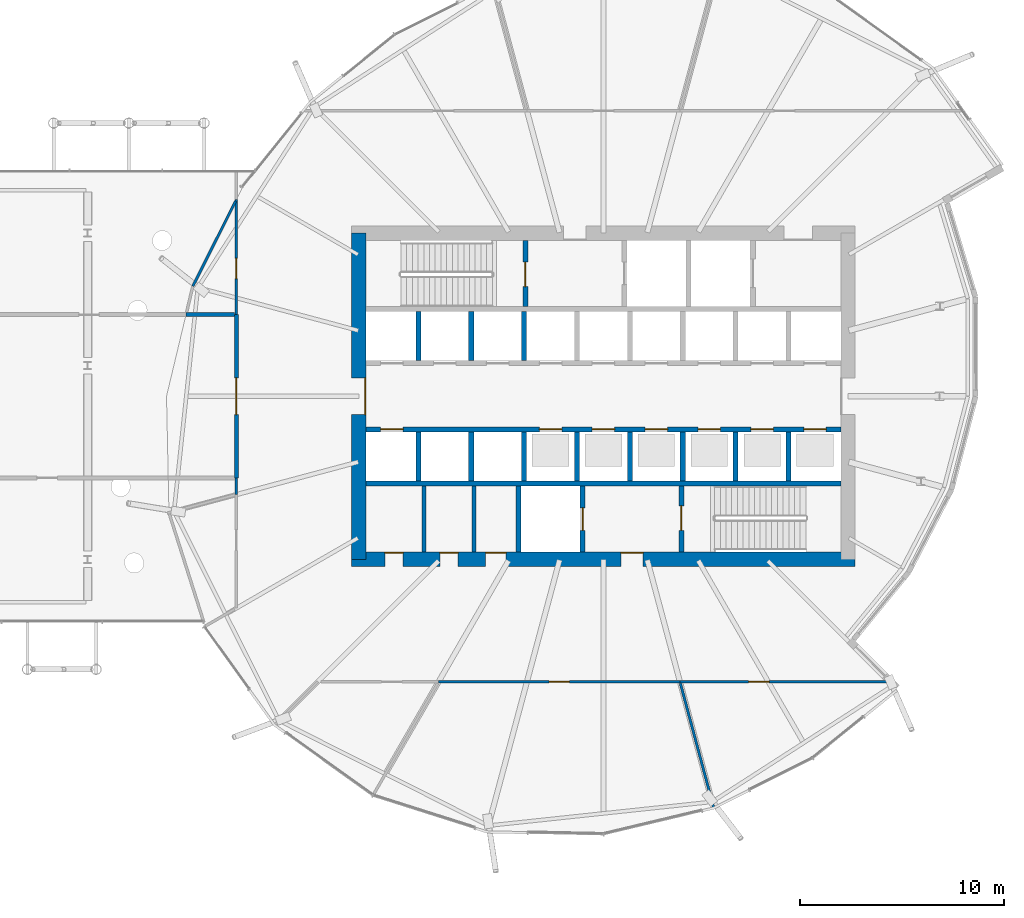
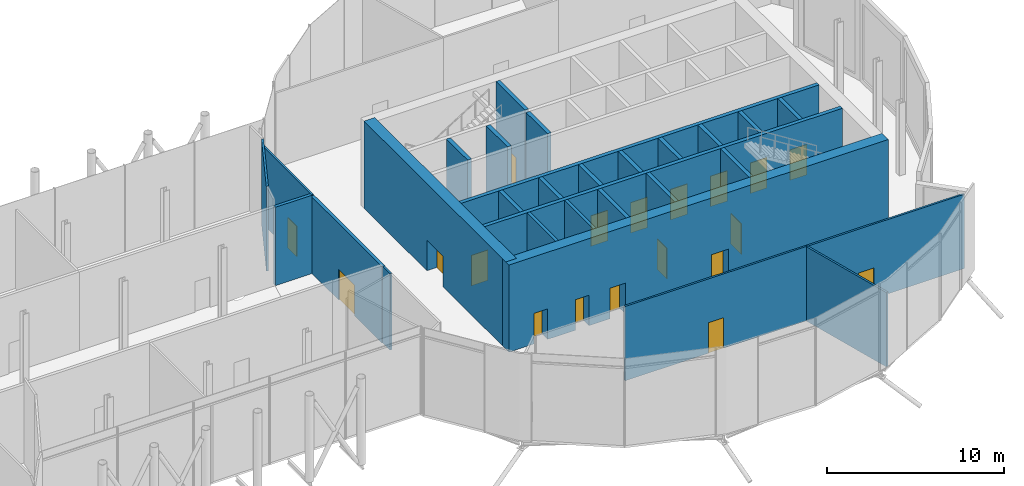
# One storey, part 22 of 38: 29 walls, 19 doors, 19 openings.
"""IFC4 building model written with IfcOpenShell, lengths in metres."""

from ifc_helpers import new_model, si_unit, direction, frame, frame_2d, origin, place, context, subcontext, project, spatial, rectangle, extrude, material, layer, layer_set, type_object, element, fill, save


model = new_model("IFC4")

# Units and contexts
model_context = context("Model", 3, precision=1e-05, world=origin(), true_north=direction((0.0, 1.0)))
body_context = subcontext(model_context, "Body", "Model", "MODEL_VIEW")
ifc_project = project(units=[si_unit("LENGTHUNIT", "METRE"), si_unit("AREAUNIT", "SQUARE_METRE"), si_unit("VOLUMEUNIT", "CUBIC_METRE"), si_unit("PLANEANGLEUNIT", "RADIAN"), si_unit("MASSUNIT", "GRAM", prefix="KILO")], contexts=[model_context])

# Site, building, storey
site_placement = place(None, origin())
site = spatial("IfcSite", under=ifc_project, at=site_placement, CompositionType="ELEMENT")
building_placement = place(site_placement, origin())
building = spatial("IfcBuilding", under=site, at=building_placement, Name="Rimbun Link Towers", CompositionType="ELEMENT")
storey_placement = place(building_placement, frame((0.0, 0.0, 133.199951171875)))
storey = spatial("IfcBuildingStorey", under=building, at=storey_placement, Name="L32", CompositionType="ELEMENT", Elevation=133.199951171875)

# Walls
ifc_material_1 = material(Name="Masonry blockwork", Category="masonry")
ifc_layer_1 = layer(ifc_material_1, 0.199951171875)
ifc_layer_set_1 = layer_set([ifc_layer_1], Name="Core partition 200")
wall_type_1 = type_object("IfcWallType", Name="Core partition 200", PredefinedType="PARTITIONING", material=ifc_layer_set_1)
for number, where, z_axis, x_axis, name in (
    (1, (22.949951171875, -4.39990234375, 0.0), (0.0, 0.0, 1.0), (0.0, -1.0, 0.0), "L32 T2 core wall C1"),
    (2, (25.39990234375, -4.39990234375, 0.0), (0.0, 0.0, 1.0), (0.0, -1.0, 0.0), "L32 T2 core wall C2"),
):
    element("IfcWall", number, at=place(storey_placement, frame(where, z_axis=z_axis, x_axis=x_axis)), inside=storey, type_object=wall_type_1, Name=name, PredefinedType="PARTITIONING", context=body_context, shape_type="SweptSolid", body=[
        extrude(rectangle(XDim=3.25, YDim=0.199951171875, at=frame_2d((1.625, 0.0))), origin(), (0.0, 0.0, 1.0), 6.0),
    ])

# Wall, openings, doors
ifc_material_2 = material(Name="Concrete C60/75", Category="concrete")
ifc_layer_2 = layer(ifc_material_2, 0.699951171875)
ifc_layer_set_2 = layer_set([ifc_layer_2], Name="Core shear wall 700")
wall_type_2 = type_object("IfcWallType", Name="Core shear wall 700", PredefinedType="SHEAR", material=ifc_layer_set_2)
wall_1_placement = place(storey_placement, frame((19.39990234375, -8.0, 0.0), z_axis=(0.0, 0.0, 1.0), x_axis=(1.0, 0.0, 0.0)))
wall_1 = element("IfcWall", 3, at=wall_1_placement, inside=storey, type_object=wall_type_2, Name="L32 T2 core wall S", PredefinedType="SHEAR", context=body_context, shape_type="SweptSolid", body=[
    extrude(rectangle(XDim=24.7001953125, YDim=0.699951171875, at=frame_2d((12.35009765625, 0.0))), origin(), (0.0, 0.0, 1.0), 6.0),
])
opening_1_placement = place(wall_1_placement, frame((13.199951171875, 0.0, 0.0)))
opening_1 = element("IfcOpeningElement", 4, at=opening_1_placement, cuts=wall_1, Name="Opening C2DCF01S", PredefinedType="OPENING", context=body_context, shape_type="SweptSolid", body=[
    extrude(rectangle(XDim=1.10009765625, YDim=2.10009765625, at=frame_2d((0.550048828125, 1.050048828125))), frame((0.0, 0.35986328125, 0.0), z_axis=(0.0, -1.0, 0.0), x_axis=(1.0, 0.0, 0.0)), (0.0, 0.0, 1.0), 0.719970703125),
])
opening_2_placement = place(wall_1_placement, frame((1.625, 0.0, 0.0)))
opening_2 = element("IfcOpeningElement", 5, at=opening_2_placement, cuts=wall_1, Name="Opening C2DWC02S", PredefinedType="OPENING", context=body_context, shape_type="SweptSolid", body=[
    extrude(rectangle(XDim=0.89990234375, YDim=2.10009765625, at=frame_2d((0.449951171875, 1.050048828125))), frame((0.0, 0.35986328125, 0.0), z_axis=(0.0, -1.0, 0.0), x_axis=(1.0, 0.0, 0.0)), (0.0, 0.0, 1.0), 0.719970703125),
])
opening_3_placement = place(wall_1_placement, frame((4.324951171875, 0.0, 0.0)))
opening_3 = element("IfcOpeningElement", 6, at=opening_3_placement, cuts=wall_1, Name="Opening C2DWC03S", PredefinedType="OPENING", context=body_context, shape_type="SweptSolid", body=[
    extrude(rectangle(XDim=0.89990234375, YDim=2.10009765625, at=frame_2d((0.449951171875, 1.050048828125))), frame((0.0, 0.35986328125, 0.0), z_axis=(0.0, -1.0, 0.0), x_axis=(1.0, 0.0, 0.0)), (0.0, 0.0, 1.0), 0.719970703125),
])
opening_4_placement = place(wall_1_placement, frame((6.574951171875, 0.0, 0.0)))
opening_4 = element("IfcOpeningElement", 7, at=opening_4_placement, cuts=wall_1, Name="Opening C2DAW04S", PredefinedType="OPENING", context=body_context, shape_type="SweptSolid", body=[
    extrude(rectangle(XDim=1.0, YDim=2.10009765625, at=frame_2d((0.5, 1.050048828125))), frame((0.0, 0.35986328125, 0.0), z_axis=(0.0, -1.0, 0.0), x_axis=(1.0, 0.0, 0.0)), (0.0, 0.0, 1.0), 0.719970703125),
])
ifc_material_3 = material(Name="Timber", Category="wood")
door_type_1 = type_object("IfcDoorType", Name="Accessible WC door", OperationType="SINGLE_SWING_LEFT", PredefinedType="DOOR", material=ifc_material_3)
door_1_placement = place(opening_4_placement, origin())
door_1 = element("IfcDoor", 8, at=door_1_placement, inside=storey, type_object=door_type_1, Name="L32 T2 accessible wc door", OperationType="SINGLE_SWING_RIGHT", OverallHeight=2.10009765625, OverallWidth=1.0, PredefinedType="DOOR", context=body_context, shape_type="SweptSolid", body=[
    extrude(rectangle(XDim=1.0, YDim=2.10009765625, at=frame_2d((0.5, 1.050048828125))), frame((0.0, 0.35009765625, 0.0), z_axis=(0.0, -1.0, 0.0), x_axis=(1.0, 0.0, 0.0)), (0.0, 0.0, 1.0), 0.050048828125),
])
fill(opening_4, door_1)
ifc_material_4 = material(Name="Steel fire door set", Category="steel")
door_type_2 = type_object("IfcDoorType", Name="Core fire door single", OperationType="SINGLE_SWING_LEFT", PredefinedType="DOOR", material=ifc_material_4)
door_2_placement = place(opening_1_placement, origin())
door_2 = element("IfcDoor", 9, at=door_2_placement, inside=storey, type_object=door_type_2, Name="L32 T2 firefighting lobby s door", OperationType="SINGLE_SWING_RIGHT", OverallHeight=2.10009765625, OverallWidth=1.10009765625, PredefinedType="DOOR", context=body_context, shape_type="SweptSolid", body=[
    extrude(rectangle(XDim=1.10009765625, YDim=2.10009765625, at=frame_2d((0.550048828125, 1.050048828125))), frame((0.0, 0.35009765625, 0.0), z_axis=(0.0, -1.0, 0.0), x_axis=(1.0, 0.0, 0.0)), (0.0, 0.0, 1.0), 0.050048828125),
])
fill(opening_1, door_2)
ifc_material_5 = material(Name="Timber", Category="wood")
door_type_3 = type_object("IfcDoorType", Name="WC door", OperationType="SINGLE_SWING_LEFT", PredefinedType="DOOR", material=ifc_material_5)
door_3_placement = place(opening_2_placement, origin())
door_3 = element("IfcDoor", 10, at=door_3_placement, inside=storey, type_object=door_type_3, Name="L32 T2 male wc door", OperationType="SINGLE_SWING_RIGHT", OverallHeight=2.10009765625, OverallWidth=0.89990234375, PredefinedType="DOOR", context=body_context, shape_type="SweptSolid", body=[
    extrude(rectangle(XDim=0.89990234375, YDim=2.10009765625, at=frame_2d((0.449951171875, 1.050048828125))), frame((0.0, 0.35009765625, 0.0), z_axis=(0.0, -1.0, 0.0), x_axis=(1.0, 0.0, 0.0)), (0.0, 0.0, 1.0), 0.050048828125),
])
fill(opening_2, door_3)
door_4_placement = place(opening_3_placement, origin())
door_4 = element("IfcDoor", 11, at=door_4_placement, inside=storey, type_object=door_type_3, Name="L32 T2 female wc door", OperationType="SINGLE_SWING_RIGHT", OverallHeight=2.10009765625, OverallWidth=0.89990234375, PredefinedType="DOOR", context=body_context, shape_type="SweptSolid", body=[
    extrude(rectangle(XDim=0.89990234375, YDim=2.10009765625, at=frame_2d((0.449951171875, 1.050048828125))), frame((0.0, 0.35009765625, 0.0), z_axis=(0.0, -1.0, 0.0), x_axis=(1.0, 0.0, 0.0)), (0.0, 0.0, 1.0), 0.050048828125),
])
fill(opening_3, door_4)

# Wall, opening, door
wall_2_placement = place(storey_placement, frame((19.75, -8.0, 0.0), z_axis=(0.0, 0.0, 1.0), x_axis=(0.0, 1.0, 0.0)))
wall_2 = element("IfcWall", 12, at=wall_2_placement, inside=storey, type_object=wall_type_2, Name="L32 T2 core wall W", PredefinedType="SHEAR", context=body_context, shape_type="SweptSolid", body=[
    extrude(rectangle(XDim=16.0, YDim=0.699951171875, at=frame_2d((8.0, 0.0))), origin(), (0.0, 0.0, 1.0), 6.0),
])
opening_5_placement = place(wall_2_placement, frame((7.10009765625, 0.0, 0.0)))
opening_5 = element("IfcOpeningElement", 13, at=opening_5_placement, cuts=wall_2, Name="Opening C2DCL01W", PredefinedType="OPENING", context=body_context, shape_type="SweptSolid", body=[
    extrude(rectangle(XDim=1.800048828125, YDim=2.10009765625, at=frame_2d((0.89990234375, 1.050048828125))), frame((0.0, 0.35986328125, 0.0), z_axis=(0.0, -1.0, 0.0), x_axis=(1.0, 0.0, 0.0)), (0.0, 0.0, 1.0), 0.719970703125),
])
ifc_material_6 = material(Name="Steel fire door set", Category="steel")
door_type_4 = type_object("IfcDoorType", Name="Core lobby door double", OperationType="DOUBLE_DOOR_SINGLE_SWING", PredefinedType="DOOR", material=ifc_material_6)
door_5_placement = place(opening_5_placement, origin())
door_5 = element("IfcDoor", 14, at=door_5_placement, inside=storey, type_object=door_type_4, Name="L32 T2 lift lobby door", OperationType="DOUBLE_DOOR_SINGLE_SWING", OverallHeight=2.10009765625, OverallWidth=1.800048828125, PredefinedType="DOOR", context=body_context, shape_type="SweptSolid", body=[
    extrude(rectangle(XDim=1.800048828125, YDim=2.10009765625, at=frame_2d((0.89990234375, 1.050048828125))), frame((0.0, -0.2998046875, 0.0), z_axis=(0.0, -1.0, 0.0), x_axis=(1.0, 0.0, 0.0)), (0.0, 0.0, 1.0), 0.050048828125),
])
fill(opening_5, door_5)

ifc_material_7 = material(Name="Concrete blockwork", Category="masonry")
ifc_layer_3 = layer(ifc_material_7, 0.199951171875)
ifc_layer_set_3 = layer_set([ifc_layer_3], Name="Fire partition 200 blockwork")
wall_type_3 = type_object("IfcWallType", Name="Fire partition 200 blockwork", PredefinedType="PARTITIONING", material=ifc_layer_set_3)
wall_3_placement = place(storey_placement, frame((13.75, 4.0, 0.0), z_axis=(0.0, 0.0, 1.0), x_axis=(0.0, -1.0, 0.0)))
wall_3 = element("IfcWall", 15, at=wall_3_placement, inside=storey, type_object=wall_type_3, Name="TW/PW/L32/027", PredefinedType="PARTITIONING", context=body_context, shape_type="SweptSolid", body=[
    extrude(rectangle(XDim=8.0, YDim=0.199951171875, at=frame_2d((4.0, 0.0))), origin(), (0.0, 0.0, 1.0), 5.26708984375),
])
opening_6_placement = place(wall_3_placement, frame((3.10009765625, 0.0, 0.0)))
opening_6 = element("IfcOpeningElement", 16, at=opening_6_placement, cuts=wall_3, Name="Opening TW D32.22", PredefinedType="OPENING", context=body_context, shape_type="SweptSolid", body=[
    extrude(rectangle(XDim=1.800048828125, YDim=2.10009765625, at=frame_2d((0.89990234375, 1.050048828125))), frame((0.0, 0.10986328125, 0.0), z_axis=(0.0, -1.0, 0.0), x_axis=(1.0, 0.0, 0.0)), (0.0, 0.0, 1.0), 0.219970703125),
])
ifc_material_8 = material(Name="Steel fire door set", Category="steel")
door_type_5 = type_object("IfcDoorType", Name="Fire door double leaf 1800 x 2100", OperationType="NOTDEFINED", PredefinedType="DOOR", material=ifc_material_8)
door_6_placement = place(opening_6_placement, origin())
door_6 = element("IfcDoor", 17, at=door_6_placement, inside=storey, type_object=door_type_5, Name="TW/DR/L32/022", OperationType="DOUBLE_DOOR_SINGLE_SWING", OverallHeight=2.10009765625, OverallWidth=1.800048828125, PredefinedType="DOOR", context=body_context, shape_type="SweptSolid", body=[
    extrude(rectangle(XDim=1.800048828125, YDim=2.10009765625, at=frame_2d((0.89990234375, 1.050048828125))), frame((0.0, 0.02490234375, 0.0), z_axis=(0.0, -1.0, 0.0), x_axis=(1.0, 0.0, 0.0)), (0.0, 0.0, 1.0), 0.050048828125),
])
fill(opening_6, door_6)

# Wall
wall_4_placement = place(storey_placement, frame((13.64990234375, 4.0, 0.0), z_axis=(0.0, 0.0, 1.0), x_axis=(-1.0, 0.0, 0.0)))
element("IfcWall", 18, at=wall_4_placement, inside=storey, type_object=wall_type_3, Name="TW/PW/L32/040", PredefinedType="PARTITIONING", context=body_context, shape_type="SweptSolid", body=[
    extrude(rectangle(XDim=2.37451171875, YDim=0.199951171875, at=frame_2d((1.187255859375, 0.0))), origin(), (0.0, 0.0, 1.0), 5.39404296875),
])

# Wall, opening, door
ifc_material_9 = material(Name="Gypsum board on steel studs", Category="steel")
ifc_layer_4 = layer(ifc_material_9, 0.125)
ifc_layer_set_4 = layer_set([ifc_layer_4], Name="Partition 125 board on studs")
wall_type_4 = type_object("IfcWallType", Name="Partition 125 board on studs", PredefinedType="PARTITIONING", material=ifc_layer_set_4)
wall_5_placement = place(storey_placement, frame((23.6669921875, -14.0, 0.0), z_axis=(0.0, 0.0, 1.0), x_axis=(1.0, 0.0, 0.0)))
wall_5 = element("IfcWall", 19, at=wall_5_placement, inside=storey, type_object=wall_type_4, Name="TW/PW/L32/032", PredefinedType="PARTITIONING", context=body_context, shape_type="SweptSolid", body=[
    extrude(rectangle(XDim=11.834228515625, YDim=0.125, at=frame_2d((5.9169921875, 0.0))), origin(), (0.0, 0.0, 1.0), 5.115966796875),
])
opening_7_placement = place(wall_5_placement, frame((5.4169921875, 0.0, 0.0)))
opening_7 = element("IfcOpeningElement", 20, at=opening_7_placement, cuts=wall_5, Name="Opening TW D32.10", PredefinedType="OPENING", context=body_context, shape_type="SweptSolid", body=[
    extrude(rectangle(XDim=1.0, YDim=2.10009765625, at=frame_2d((0.5, 1.050048828125))), frame((0.0, 0.072509765625, 0.0), z_axis=(0.0, -1.0, 0.0), x_axis=(1.0, 0.0, 0.0)), (0.0, 0.0, 1.0), 0.14501953125),
])
ifc_material_10 = material(Name="Timber door set", Category="wood")
door_type_6 = type_object("IfcDoorType", Name="Door single leaf 1000 x 2100", OperationType="NOTDEFINED", PredefinedType="DOOR", material=ifc_material_10)
door_7_placement = place(opening_7_placement, origin())
door_7 = element("IfcDoor", 21, at=door_7_placement, inside=storey, type_object=door_type_6, Name="TW/DR/L32/010", OperationType="SINGLE_SWING_LEFT", OverallHeight=2.10009765625, OverallWidth=1.0, PredefinedType="DOOR", context=body_context, shape_type="SweptSolid", body=[
    extrude(rectangle(XDim=1.0, YDim=2.10009765625, at=frame_2d((0.5, 1.050048828125))), frame((0.0, 0.02490234375, 0.0), z_axis=(0.0, -1.0, 0.0), x_axis=(1.0, 0.0, 0.0)), (0.0, 0.0, 1.0), 0.050048828125),
])
fill(opening_7, door_7)

wall_6_placement = place(storey_placement, frame((35.501220703125, -14.0, 0.0), z_axis=(0.0, 0.0, 1.0), x_axis=(1.0, 0.0, 0.0)))
wall_6 = element("IfcWall", 22, at=wall_6_placement, inside=storey, type_object=wall_type_4, Name="TW/PW/L32/033", PredefinedType="PARTITIONING", context=body_context, shape_type="SweptSolid", body=[
    extrude(rectangle(XDim=10.248779296875, YDim=0.125, at=frame_2d((5.12451171875, 0.0))), origin(), (0.0, 0.0, 1.0), 5.115966796875),
])
opening_8_placement = place(wall_6_placement, frame((3.3720703125, 0.0, 0.0)))
opening_8 = element("IfcOpeningElement", 23, at=opening_8_placement, cuts=wall_6, Name="Opening TW D32.11", PredefinedType="OPENING", context=body_context, shape_type="SweptSolid", body=[
    extrude(rectangle(XDim=1.0, YDim=2.10009765625, at=frame_2d((0.5, 1.050048828125))), frame((0.0, 0.072509765625, 0.0), z_axis=(0.0, -1.0, 0.0), x_axis=(1.0, 0.0, 0.0)), (0.0, 0.0, 1.0), 0.14501953125),
])
door_8_placement = place(opening_8_placement, origin())
door_8 = element("IfcDoor", 24, at=door_8_placement, inside=storey, type_object=door_type_6, Name="TW/DR/L32/011", OperationType="SINGLE_SWING_RIGHT", OverallHeight=2.10009765625, OverallWidth=1.0, PredefinedType="DOOR", context=body_context, shape_type="SweptSolid", body=[
    extrude(rectangle(XDim=1.0, YDim=2.10009765625, at=frame_2d((0.5, 1.050048828125))), frame((0.0, 0.02490234375, 0.0), z_axis=(0.0, -1.0, 0.0), x_axis=(1.0, 0.0, 0.0)), (0.0, 0.0, 1.0), 0.050048828125),
])
fill(opening_8, door_8)

wall_7_placement = place(storey_placement, frame((13.75, 9.6591796875, 0.0), z_axis=(0.0, 0.0, 1.0), x_axis=(0.0, -1.0, 0.0)))
wall_7 = element("IfcWall", 25, at=wall_7_placement, inside=storey, type_object=wall_type_4, Name="TW/PW/L32/037", PredefinedType="PARTITIONING", context=body_context, shape_type="SweptSolid", body=[
    extrude(rectangle(XDim=5.6591796875, YDim=0.125, at=frame_2d((2.82958984375, 0.0))), origin(), (0.0, 0.0, 1.0), 5.34716796875),
])
opening_9_placement = place(wall_7_placement, frame((2.89306640625, 0.0, 0.0)))
opening_9 = element("IfcOpeningElement", 26, at=opening_9_placement, cuts=wall_7, Name="Opening TW D32.15", PredefinedType="OPENING", context=body_context, shape_type="SweptSolid", body=[
    extrude(rectangle(XDim=1.0, YDim=2.10009765625, at=frame_2d((0.5, 1.050048828125))), frame((0.0, 0.072509765625, 0.0), z_axis=(0.0, -1.0, 0.0), x_axis=(1.0, 0.0, 0.0)), (0.0, 0.0, 1.0), 0.14501953125),
])
door_9_placement = place(opening_9_placement, origin())
door_9 = element("IfcDoor", 27, at=door_9_placement, inside=storey, type_object=door_type_6, Name="TW/DR/L32/015", OperationType="SINGLE_SWING_RIGHT", OverallHeight=2.10009765625, OverallWidth=1.0, PredefinedType="DOOR", context=body_context, shape_type="SweptSolid", body=[
    extrude(rectangle(XDim=1.0, YDim=2.10009765625, at=frame_2d((0.5, 1.050048828125))), frame((0.0, 0.02490234375, 0.0), z_axis=(0.0, -1.0, 0.0), x_axis=(1.0, 0.0, 0.0)), (0.0, 0.0, 1.0), 0.050048828125),
])
fill(opening_9, door_9)

# Walls
wall_8_placement = place(storey_placement, frame((13.75, -4.0, 0.0), z_axis=(0.0, 0.0, 1.0), x_axis=(0.0, -1.0, 0.0)))
element("IfcWall", 28, at=wall_8_placement, inside=storey, type_object=wall_type_4, Name="TW/PW/L32/039", PredefinedType="PARTITIONING", context=body_context, shape_type="SweptSolid", body=[
    extrude(rectangle(XDim=0.822998046875, YDim=0.125, at=frame_2d((0.41162109375, 0.0))), origin(), (0.0, 0.0, 1.0), 5.26708984375),
])
wall_9_placement = place(storey_placement, frame((37.16748046875, -20.218017578125, 0.0), z_axis=(0.0, 0.0, 1.0), x_axis=(-0.258814803939, 0.965926962696, 0.0)))
element("IfcWall", 29, at=wall_9_placement, inside=storey, type_object=wall_type_4, Name="TW/PW/L32/045", PredefinedType="PARTITIONING", context=body_context, shape_type="SweptSolid", body=[
    extrude(rectangle(XDim=6.35595703125, YDim=0.125, at=frame_2d((3.177978515625, 0.0))), origin(), (0.0, 0.0, 1.0), 5.115966796875),
])
wall_10_placement = place(storey_placement, frame((13.70751953125, 9.57421875, 0.0), z_axis=(0.0, 0.0, 1.0), x_axis=(-0.448821401418, -0.893621480063, 0.0)))
element("IfcWall", 30, at=wall_10_placement, inside=storey, type_object=wall_type_4, Name="TW/PW/L32/048", PredefinedType="PARTITIONING", context=body_context, shape_type="SweptSolid", body=[
    extrude(rectangle(XDim=4.6748046875, YDim=0.125, at=frame_2d((2.33740234375, 0.0))), origin(), (0.0, 0.0, 1.0), 5.820068359375),
])
ifc_material_11 = material(Name="Concrete C60/75", Category="concrete")
ifc_layer_5 = layer(ifc_material_11, 0.25)
ifc_layer_set_5 = layer_set([ifc_layer_5], Name="Shaft wall 250")
wall_type_5 = type_object("IfcWallType", Name="Shaft wall 250", PredefinedType="SHEAR", material=ifc_layer_set_5)
wall_11_placement = place(storey_placement, frame((20.10009765625, -4.27490234375, 0.0), z_axis=(0.0, 0.0, 1.0), x_axis=(1.0, 0.0, 0.0)))
element("IfcWall", 31, at=wall_11_placement, inside=storey, type_object=wall_type_5, Name="L32 T2 core wall BS", PredefinedType="SHEAR", context=body_context, shape_type="SweptSolid", body=[
    extrude(rectangle(XDim=23.2998046875, YDim=0.25, at=frame_2d((11.64990234375, 0.0))), origin(), (0.0, 0.0, 1.0), 6.0),
])

# Wall, openings, doors
wall_12_placement = place(storey_placement, frame((20.10009765625, -1.625, 0.0), z_axis=(0.0, 0.0, 1.0), x_axis=(1.0, 0.0, 0.0)))
wall_12 = element("IfcWall", 32, at=wall_12_placement, inside=storey, type_object=wall_type_5, Name="L32 T2 core wall FS", PredefinedType="SHEAR", context=body_context, shape_type="SweptSolid", body=[
    extrude(rectangle(XDim=23.2998046875, YDim=0.25, at=frame_2d((11.64990234375, 0.0))), origin(), (0.0, 0.0, 1.0), 6.0),
])
opening_10_placement = place(wall_12_placement, frame((0.72216796875, 0.0, 0.0)))
opening_10 = element("IfcOpeningElement", 33, at=opening_10_placement, cuts=wall_12, Name="Opening LD-T2-SH4", PredefinedType="OPENING", context=body_context, shape_type="SweptSolid", body=[
    extrude(rectangle(XDim=1.10009765625, YDim=2.10009765625, at=frame_2d((0.550048828125, 1.050048828125))), frame((0.0, 0.135009765625, 0.0), z_axis=(0.0, -1.0, 0.0), x_axis=(1.0, 0.0, 0.0)), (0.0, 0.0, 1.0), 0.27001953125),
])
opening_11_placement = place(wall_12_placement, frame((8.505615234375, 0.0, 0.0)))
opening_11 = element("IfcOpeningElement", 34, at=opening_11_placement, cuts=wall_12, Name="Opening LD-T2-HR1", PredefinedType="OPENING", context=body_context, shape_type="SweptSolid", body=[
    extrude(rectangle(XDim=1.10009765625, YDim=2.10009765625, at=frame_2d((0.550048828125, 1.050048828125))), frame((0.0, 0.135009765625, 0.0), z_axis=(0.0, -1.0, 0.0), x_axis=(1.0, 0.0, 0.0)), (0.0, 0.0, 1.0), 0.27001953125),
])
opening_12_placement = place(wall_12_placement, frame((11.10009765625, 0.0, 0.0)))
opening_12 = element("IfcOpeningElement", 35, at=opening_12_placement, cuts=wall_12, Name="Opening LD-T2-HR2", PredefinedType="OPENING", context=body_context, shape_type="SweptSolid", body=[
    extrude(rectangle(XDim=1.10009765625, YDim=2.10009765625, at=frame_2d((0.550048828125, 1.050048828125))), frame((0.0, 0.135009765625, 0.0), z_axis=(0.0, -1.0, 0.0), x_axis=(1.0, 0.0, 0.0)), (0.0, 0.0, 1.0), 0.27001953125),
])
opening_13_placement = place(wall_12_placement, frame((13.6943359375, 0.0, 0.0)))
opening_13 = element("IfcOpeningElement", 36, at=opening_13_placement, cuts=wall_12, Name="Opening LD-T2-HR3", PredefinedType="OPENING", context=body_context, shape_type="SweptSolid", body=[
    extrude(rectangle(XDim=1.10009765625, YDim=2.10009765625, at=frame_2d((0.550048828125, 1.050048828125))), frame((0.0, 0.135009765625, 0.0), z_axis=(0.0, -1.0, 0.0), x_axis=(1.0, 0.0, 0.0)), (0.0, 0.0, 1.0), 0.27001953125),
])
opening_14_placement = place(wall_12_placement, frame((16.288818359375, 0.0, 0.0)))
opening_14 = element("IfcOpeningElement", 37, at=opening_14_placement, cuts=wall_12, Name="Opening LD-T2-HR4", PredefinedType="OPENING", context=body_context, shape_type="SweptSolid", body=[
    extrude(rectangle(XDim=1.10009765625, YDim=2.10009765625, at=frame_2d((0.550048828125, 1.050048828125))), frame((0.0, 0.135009765625, 0.0), z_axis=(0.0, -1.0, 0.0), x_axis=(1.0, 0.0, 0.0)), (0.0, 0.0, 1.0), 0.27001953125),
])
opening_15_placement = place(wall_12_placement, frame((18.88330078125, 0.0, 0.0)))
opening_15 = element("IfcOpeningElement", 38, at=opening_15_placement, cuts=wall_12, Name="Opening LD-T2-HR5", PredefinedType="OPENING", context=body_context, shape_type="SweptSolid", body=[
    extrude(rectangle(XDim=1.10009765625, YDim=2.10009765625, at=frame_2d((0.550048828125, 1.050048828125))), frame((0.0, 0.135009765625, 0.0), z_axis=(0.0, -1.0, 0.0), x_axis=(1.0, 0.0, 0.0)), (0.0, 0.0, 1.0), 0.27001953125),
])
opening_16_placement = place(wall_12_placement, frame((21.477783203125, 0.0, 0.0)))
opening_16 = element("IfcOpeningElement", 39, at=opening_16_placement, cuts=wall_12, Name="Opening LD-T2-HR6", PredefinedType="OPENING", context=body_context, shape_type="SweptSolid", body=[
    extrude(rectangle(XDim=1.10009765625, YDim=2.10009765625, at=frame_2d((0.550048828125, 1.050048828125))), frame((0.0, 0.135009765625, 0.0), z_axis=(0.0, -1.0, 0.0), x_axis=(1.0, 0.0, 0.0)), (0.0, 0.0, 1.0), 0.27001953125),
])
ifc_material_12 = material(Name="Stainless steel grade 316", Category="steel")
door_type_7 = type_object("IfcDoorType", Name="Lift landing door", OperationType="DOUBLE_DOOR_SLIDING", PredefinedType="DOOR", material=ifc_material_12)
door_10_placement = place(opening_10_placement, origin())
door_10 = element("IfcDoor", 40, at=door_10_placement, inside=storey, type_object=door_type_7, Name="L32 T2 lift SH4 landing door", OperationType="DOUBLE_DOOR_SLIDING", OverallHeight=2.10009765625, OverallWidth=1.10009765625, PredefinedType="DOOR", context=body_context, shape_type="SweptSolid", body=[
    extrude(rectangle(XDim=1.10009765625, YDim=2.10009765625, at=frame_2d((0.550048828125, 1.050048828125))), frame((0.0, 0.02490234375, 0.0), z_axis=(0.0, -1.0, 0.0), x_axis=(1.0, 0.0, 0.0)), (0.0, 0.0, 1.0), 0.050048828125),
])
fill(opening_10, door_10)
door_11_placement = place(opening_11_placement, origin())
door_11 = element("IfcDoor", 41, at=door_11_placement, inside=storey, type_object=door_type_7, Name="L32 T2 lift HR1 landing door", OperationType="DOUBLE_DOOR_SLIDING", OverallHeight=2.10009765625, OverallWidth=1.10009765625, PredefinedType="DOOR", context=body_context, shape_type="SweptSolid", body=[
    extrude(rectangle(XDim=1.10009765625, YDim=2.10009765625, at=frame_2d((0.550048828125, 1.050048828125))), frame((0.0, 0.02490234375, 0.0), z_axis=(0.0, -1.0, 0.0), x_axis=(1.0, 0.0, 0.0)), (0.0, 0.0, 1.0), 0.050048828125),
])
fill(opening_11, door_11)
door_12_placement = place(opening_12_placement, origin())
door_12 = element("IfcDoor", 42, at=door_12_placement, inside=storey, type_object=door_type_7, Name="L32 T2 lift HR2 landing door", OperationType="DOUBLE_DOOR_SLIDING", OverallHeight=2.10009765625, OverallWidth=1.10009765625, PredefinedType="DOOR", context=body_context, shape_type="SweptSolid", body=[
    extrude(rectangle(XDim=1.10009765625, YDim=2.10009765625, at=frame_2d((0.550048828125, 1.050048828125))), frame((0.0, 0.02490234375, 0.0), z_axis=(0.0, -1.0, 0.0), x_axis=(1.0, 0.0, 0.0)), (0.0, 0.0, 1.0), 0.050048828125),
])
fill(opening_12, door_12)
door_13_placement = place(opening_13_placement, origin())
door_13 = element("IfcDoor", 43, at=door_13_placement, inside=storey, type_object=door_type_7, Name="L32 T2 lift HR3 landing door", OperationType="DOUBLE_DOOR_SLIDING", OverallHeight=2.10009765625, OverallWidth=1.10009765625, PredefinedType="DOOR", context=body_context, shape_type="SweptSolid", body=[
    extrude(rectangle(XDim=1.10009765625, YDim=2.10009765625, at=frame_2d((0.550048828125, 1.050048828125))), frame((0.0, 0.02490234375, 0.0), z_axis=(0.0, -1.0, 0.0), x_axis=(1.0, 0.0, 0.0)), (0.0, 0.0, 1.0), 0.050048828125),
])
fill(opening_13, door_13)
door_14_placement = place(opening_14_placement, origin())
door_14 = element("IfcDoor", 44, at=door_14_placement, inside=storey, type_object=door_type_7, Name="L32 T2 lift HR4 landing door", OperationType="DOUBLE_DOOR_SLIDING", OverallHeight=2.10009765625, OverallWidth=1.10009765625, PredefinedType="DOOR", context=body_context, shape_type="SweptSolid", body=[
    extrude(rectangle(XDim=1.10009765625, YDim=2.10009765625, at=frame_2d((0.550048828125, 1.050048828125))), frame((0.0, 0.02490234375, 0.0), z_axis=(0.0, -1.0, 0.0), x_axis=(1.0, 0.0, 0.0)), (0.0, 0.0, 1.0), 0.050048828125),
])
fill(opening_14, door_14)
door_15_placement = place(opening_15_placement, origin())
door_15 = element("IfcDoor", 45, at=door_15_placement, inside=storey, type_object=door_type_7, Name="L32 T2 lift HR5 landing door", OperationType="DOUBLE_DOOR_SLIDING", OverallHeight=2.10009765625, OverallWidth=1.10009765625, PredefinedType="DOOR", context=body_context, shape_type="SweptSolid", body=[
    extrude(rectangle(XDim=1.10009765625, YDim=2.10009765625, at=frame_2d((0.550048828125, 1.050048828125))), frame((0.0, 0.02490234375, 0.0), z_axis=(0.0, -1.0, 0.0), x_axis=(1.0, 0.0, 0.0)), (0.0, 0.0, 1.0), 0.050048828125),
])
fill(opening_15, door_15)
door_16_placement = place(opening_16_placement, origin())
door_16 = element("IfcDoor", 46, at=door_16_placement, inside=storey, type_object=door_type_7, Name="L32 T2 lift HR6 landing door", OperationType="DOUBLE_DOOR_SLIDING", OverallHeight=2.10009765625, OverallWidth=1.10009765625, PredefinedType="DOOR", context=body_context, shape_type="SweptSolid", body=[
    extrude(rectangle(XDim=1.10009765625, YDim=2.10009765625, at=frame_2d((0.550048828125, 1.050048828125))), frame((0.0, 0.02490234375, 0.0), z_axis=(0.0, -1.0, 0.0), x_axis=(1.0, 0.0, 0.0)), (0.0, 0.0, 1.0), 0.050048828125),
])
fill(opening_16, door_16)

# Walls
for number, where, z_axis, x_axis, name in (
    (47, (22.66943359375, 1.75, 0.0), (0.0, 0.0, 1.0), (0.0, 1.0, 0.0), "L32 T2 core wall DN0"),
    (48, (25.263916015625, 1.75, 0.0), (0.0, 0.0, 1.0), (0.0, 1.0, 0.0), "L32 T2 core wall DN1"),
    (49, (27.8583984375, 1.75, 0.0), (0.0, 0.0, 1.0), (0.0, 1.0, 0.0), "L32 T2 core wall DN2"),
    (50, (22.66943359375, -4.14990234375, 0.0), (0.0, 0.0, 1.0), (0.0, 1.0, 0.0), "L32 T2 core wall DS0"),
    (51, (25.263916015625, -4.14990234375, 0.0), (0.0, 0.0, 1.0), (0.0, 1.0, 0.0), "L32 T2 core wall DS1"),
    (52, (27.8583984375, -4.14990234375, 0.0), (0.0, 0.0, 1.0), (0.0, 1.0, 0.0), "L32 T2 core wall DS2"),
    (53, (30.452880859375, -4.14990234375, 0.0), (0.0, 0.0, 1.0), (0.0, 1.0, 0.0), "L32 T2 core wall DS3"),
    (54, (33.047119140625, -4.14990234375, 0.0), (0.0, 0.0, 1.0), (0.0, 1.0, 0.0), "L32 T2 core wall DS4"),
    (55, (35.6416015625, -4.14990234375, 0.0), (0.0, 0.0, 1.0), (0.0, 1.0, 0.0), "L32 T2 core wall DS5"),
    (56, (38.236083984375, -4.14990234375, 0.0), (0.0, 0.0, 1.0), (0.0, 1.0, 0.0), "L32 T2 core wall DS6"),
    (57, (40.83056640625, -4.14990234375, 0.0), (0.0, 0.0, 1.0), (0.0, 1.0, 0.0), "L32 T2 core wall DS7"),
):
    element("IfcWall", number, at=place(storey_placement, frame(where, z_axis=z_axis, x_axis=x_axis)), inside=storey, type_object=wall_type_5, Name=name, PredefinedType="SHEAR", context=body_context, shape_type="SweptSolid", body=[
        extrude(rectangle(XDim=2.39990234375, YDim=0.25, at=frame_2d((1.199951171875, 0.0))), origin(), (0.0, 0.0, 1.0), 6.0),
    ])

# Wall, opening, door
wall_13_placement = place(storey_placement, frame((27.925048828125, 4.39990234375, 0.0), z_axis=(0.0, 0.0, 1.0), x_axis=(0.0, 1.0, 0.0)))
wall_13 = element("IfcWall", 58, at=wall_13_placement, inside=storey, type_object=wall_type_5, Name="L32 T2 core wall A1", PredefinedType="SHEAR", context=body_context, shape_type="SweptSolid", body=[
    extrude(rectangle(XDim=3.25, YDim=0.25, at=frame_2d((1.625, 0.0))), origin(), (0.0, 0.0, 1.0), 6.0),
])
opening_17_placement = place(wall_13_placement, frame((0.97509765625, 0.0, 0.0)))
opening_17 = element("IfcOpeningElement", 59, at=opening_17_placement, cuts=wall_13, Name="Opening C2DST01A1", PredefinedType="OPENING", context=body_context, shape_type="SweptSolid", body=[
    extrude(rectangle(XDim=1.199951171875, YDim=2.10009765625, at=frame_2d((0.60009765625, 1.050048828125))), frame((0.0, 0.135009765625, 0.0), z_axis=(0.0, -1.0, 0.0), x_axis=(1.0, 0.0, 0.0)), (0.0, 0.0, 1.0), 0.27001953125),
])
ifc_material_13 = material(Name="Steel fire door set", Category="steel")
door_type_8 = type_object("IfcDoorType", Name="Stair door", OperationType="SINGLE_SWING_LEFT", PredefinedType="DOOR", material=ifc_material_13)
door_17_placement = place(opening_17_placement, origin())
door_17 = element("IfcDoor", 60, at=door_17_placement, inside=storey, type_object=door_type_8, Name="L32 T2 stair a door", OperationType="SINGLE_SWING_RIGHT", OverallHeight=2.10009765625, OverallWidth=1.199951171875, PredefinedType="DOOR", context=body_context, shape_type="SweptSolid", body=[
    extrude(rectangle(XDim=1.199951171875, YDim=2.10009765625, at=frame_2d((0.60009765625, 1.050048828125))), frame((0.0, 0.02490234375, 0.0), z_axis=(0.0, -1.0, 0.0), x_axis=(1.0, 0.0, 0.0)), (0.0, 0.0, 1.0), 0.050048828125),
])
fill(opening_17, door_17)

wall_14_placement = place(storey_placement, frame((35.574951171875, -4.39990234375, 0.0), z_axis=(0.0, 0.0, 1.0), x_axis=(0.0, -1.0, 0.0)))
wall_14 = element("IfcWall", 61, at=wall_14_placement, inside=storey, type_object=wall_type_5, Name="L32 T2 core wall B1", PredefinedType="SHEAR", context=body_context, shape_type="SweptSolid", body=[
    extrude(rectangle(XDim=3.25, YDim=0.25, at=frame_2d((1.625, 0.0))), origin(), (0.0, 0.0, 1.0), 6.0),
])
opening_18_placement = place(wall_14_placement, frame((0.97509765625, 0.0, 0.0)))
opening_18 = element("IfcOpeningElement", 62, at=opening_18_placement, cuts=wall_14, Name="Opening C2DST01B1", PredefinedType="OPENING", context=body_context, shape_type="SweptSolid", body=[
    extrude(rectangle(XDim=1.199951171875, YDim=2.10009765625, at=frame_2d((0.60009765625, 1.050048828125))), frame((0.0, 0.135009765625, 0.0), z_axis=(0.0, -1.0, 0.0), x_axis=(1.0, 0.0, 0.0)), (0.0, 0.0, 1.0), 0.27001953125),
])
door_18_placement = place(opening_18_placement, origin())
door_18 = element("IfcDoor", 63, at=door_18_placement, inside=storey, type_object=door_type_8, Name="L32 T2 stair b door", OperationType="SINGLE_SWING_RIGHT", OverallHeight=2.10009765625, OverallWidth=1.199951171875, PredefinedType="DOOR", context=body_context, shape_type="SweptSolid", body=[
    extrude(rectangle(XDim=1.199951171875, YDim=2.10009765625, at=frame_2d((0.60009765625, 1.050048828125))), frame((0.0, 0.02490234375, 0.0), z_axis=(0.0, -1.0, 0.0), x_axis=(1.0, 0.0, 0.0)), (0.0, 0.0, 1.0), 0.050048828125),
])
fill(opening_18, door_18)

wall_15_placement = place(storey_placement, frame((30.72509765625, -4.39990234375, 0.0), z_axis=(0.0, 0.0, 1.0), x_axis=(0.0, -1.0, 0.0)))
wall_15 = element("IfcWall", 64, at=wall_15_placement, inside=storey, type_object=wall_type_5, Name="L32 T2 core wall B2", PredefinedType="SHEAR", context=body_context, shape_type="SweptSolid", body=[
    extrude(rectangle(XDim=3.25, YDim=0.25, at=frame_2d((1.625, 0.0))), origin(), (0.0, 0.0, 1.0), 6.0),
])
opening_19_placement = place(wall_15_placement, frame((1.074951171875, 0.0, 0.0)))
opening_19 = element("IfcOpeningElement", 65, at=opening_19_placement, cuts=wall_15, Name="Opening LD-T2-FF2", PredefinedType="OPENING", context=body_context, shape_type="SweptSolid", body=[
    extrude(rectangle(XDim=1.10009765625, YDim=2.10009765625, at=frame_2d((0.550048828125, 1.050048828125))), frame((0.0, 0.135009765625, 0.0), z_axis=(0.0, -1.0, 0.0), x_axis=(1.0, 0.0, 0.0)), (0.0, 0.0, 1.0), 0.27001953125),
])
door_19_placement = place(opening_19_placement, origin())
door_19 = element("IfcDoor", 66, at=door_19_placement, inside=storey, type_object=door_type_7, Name="L32 T2 lift FF2 landing door", OperationType="DOUBLE_DOOR_SLIDING", OverallHeight=2.10009765625, OverallWidth=1.10009765625, PredefinedType="DOOR", context=body_context, shape_type="SweptSolid", body=[
    extrude(rectangle(XDim=1.10009765625, YDim=2.10009765625, at=frame_2d((0.550048828125, 1.050048828125))), frame((0.0, 0.02490234375, 0.0), z_axis=(0.0, -1.0, 0.0), x_axis=(1.0, 0.0, 0.0)), (0.0, 0.0, 1.0), 0.050048828125),
])
fill(opening_19, door_19)

# Wall
wall_16_placement = place(storey_placement, frame((27.574951171875, -4.39990234375, 0.0), z_axis=(0.0, 0.0, 1.0), x_axis=(0.0, -1.0, 0.0)))
element("IfcWall", 67, at=wall_16_placement, inside=storey, type_object=wall_type_5, Name="L32 T2 core wall B3", PredefinedType="SHEAR", context=body_context, shape_type="SweptSolid", body=[
    extrude(rectangle(XDim=3.25, YDim=0.25, at=frame_2d((1.625, 0.0))), origin(), (0.0, 0.0, 1.0), 6.0),
])

save(model, "model.ifc")
